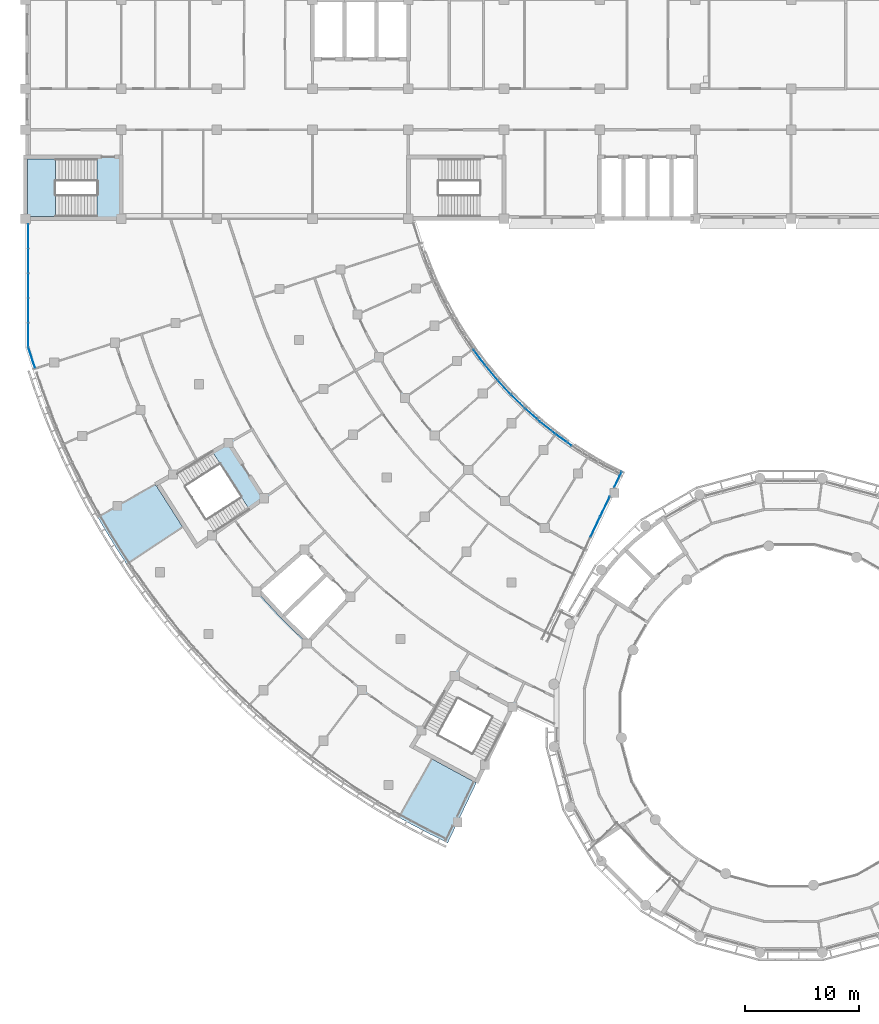
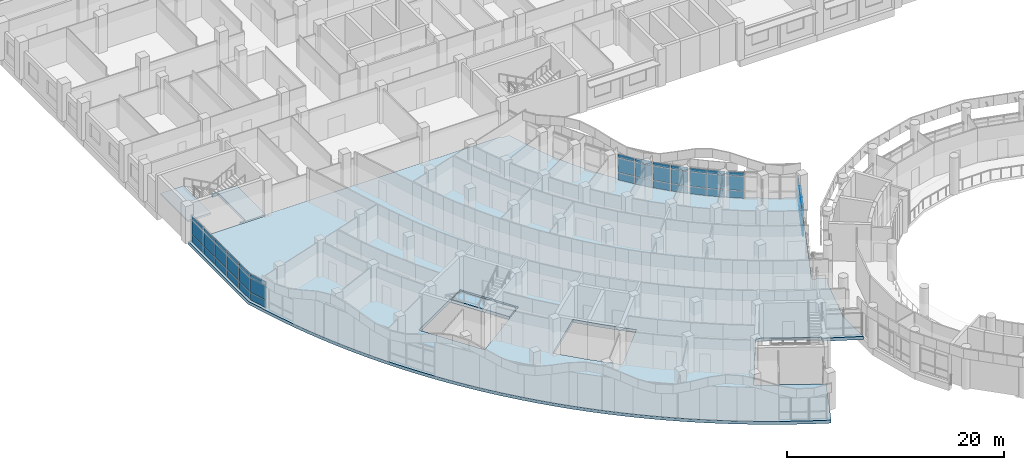
# One storey, part 38 of 109: 47 plates, 4 slabs, 9 elements without a shape of their own.
"""IFC4 building model written with IfcOpenShell, lengths in metres."""

from ifc_helpers import new_model, si_unit, direction, frame, origin, origin_2d, place, context, subcontext, project, spatial, polyline, rectangle, outline, extrude, material, layer, layer_set, type_object, element, aggregate, save


model = new_model("IFC4")

# Units and contexts
model_context = context("Model", 3, precision=1e-05, world=origin(), true_north=direction((0.0, 1.0)))
body_context = subcontext(model_context, "Body", "Model", "MODEL_VIEW")
ifc_project = project(units=[si_unit("LENGTHUNIT", "METRE"), si_unit("AREAUNIT", "SQUARE_METRE"), si_unit("VOLUMEUNIT", "CUBIC_METRE"), si_unit("PLANEANGLEUNIT", "RADIAN"), si_unit("MASSUNIT", "GRAM", prefix="KILO")], contexts=[model_context])

# Site, building, storey
site_placement = place(None, origin())
site = spatial("IfcSite", under=ifc_project, at=site_placement, CompositionType="ELEMENT")
building_placement = place(site_placement, origin())
building = spatial("IfcBuilding", under=site, at=building_placement, Name="Bougainvillea Quay General Hospital", CompositionType="ELEMENT")
storey_placement = place(building_placement, frame((0.0, 0.0, 12.60009765625)))
storey = spatial("IfcBuildingStorey", under=building, at=storey_placement, Name="L02", CompositionType="ELEMENT", Elevation=12.60009765625)

# Curtain wall, plates
ifc_material_1 = material(Name="Aluminium curtain wall system, powder-coated glazed", Category="aluminium")
curtain_wall_type_1 = type_object("IfcCurtainWallType", Name="Unitised curtain wall CW-2172", PredefinedType="NOTDEFINED", material=ifc_material_1)
curtain_wall_1_placement = place(storey_placement, origin())
curtain_wall_1 = element("IfcCurtainWall", 1, at=curtain_wall_1_placement, inside=storey, type_object=curtain_wall_type_1, Name="CW-AE 00", PredefinedType="NOTDEFINED")
ifc_material_2 = material(Name="Insulated aluminium spandrel panel, white", Category="aluminium")
ifc_layer_1 = layer(ifc_material_2, 0.028076171875)
ifc_layer_set_1 = layer_set([ifc_layer_1], Name="Insulated aluminium spandrel panel, white")
plate_type_1 = type_object("IfcPlateType", Name="Insulated spandrel panel white 28", PredefinedType="CURTAIN_PANEL", material=ifc_layer_set_1)
plate_1_placement = place(storey_placement, frame((42.25, 116.05419921875, 0.059814453125), z_axis=(0.0, 0.0, 1.0), x_axis=(0.0, -1.0, 0.0)))
plate_1 = element("IfcPlate", 2, at=plate_1_placement, type_object=plate_type_1, Name="CW-AE spandrel panel 1.1", PredefinedType="CURTAIN_PANEL", context=body_context, shape_type="SweptSolid", body=[
    extrude(rectangle(XDim=2.081787109375, YDim=0.028076171875, at=origin_2d()), origin(), (0.0, 0.0, 1.0), 0.81005859375),
])
plate_2_placement = place(storey_placement, frame((42.25, 116.05419921875, 2.580078125), z_axis=(0.0, 0.0, 1.0), x_axis=(0.0, -1.0, 0.0)))
plate_2 = element("IfcPlate", 3, at=plate_2_placement, type_object=plate_type_1, Name="CW-AE spandrel panel 1.3", PredefinedType="CURTAIN_PANEL", context=body_context, shape_type="SweptSolid", body=[
    extrude(rectangle(XDim=2.081787109375, YDim=0.028076171875, at=origin_2d()), origin(), (0.0, 0.0, 1.0), 0.409912109375),
])
plate_3_placement = place(storey_placement, frame((42.25, 113.897216796875, 0.059814453125), z_axis=(0.0, 0.0, 1.0), x_axis=(0.0, -1.0, 0.0)))
plate_3 = element("IfcPlate", 4, at=plate_3_placement, type_object=plate_type_1, Name="CW-AE spandrel panel 2.1", PredefinedType="CURTAIN_PANEL", context=body_context, shape_type="SweptSolid", body=[
    extrude(rectangle(XDim=2.11181640625, YDim=0.028076171875, at=origin_2d()), origin(), (0.0, 0.0, 1.0), 0.81005859375),
])
plate_4_placement = place(storey_placement, frame((42.25, 113.897216796875, 2.580078125), z_axis=(0.0, 0.0, 1.0), x_axis=(0.0, -1.0, 0.0)))
plate_4 = element("IfcPlate", 5, at=plate_4_placement, type_object=plate_type_1, Name="CW-AE spandrel panel 2.3", PredefinedType="CURTAIN_PANEL", context=body_context, shape_type="SweptSolid", body=[
    extrude(rectangle(XDim=2.11181640625, YDim=0.028076171875, at=origin_2d()), origin(), (0.0, 0.0, 1.0), 0.409912109375),
])
plate_5_placement = place(storey_placement, frame((42.25, 111.7255859375, 0.059814453125), z_axis=(0.0, 0.0, 1.0), x_axis=(0.0, -1.0, 0.0)))
plate_5 = element("IfcPlate", 6, at=plate_5_placement, type_object=plate_type_1, Name="CW-AE spandrel panel 3.1", PredefinedType="CURTAIN_PANEL", context=body_context, shape_type="SweptSolid", body=[
    extrude(rectangle(XDim=2.11181640625, YDim=0.028076171875, at=origin_2d()), origin(), (0.0, 0.0, 1.0), 0.81005859375),
])
plate_6_placement = place(storey_placement, frame((42.25, 111.7255859375, 2.580078125), z_axis=(0.0, 0.0, 1.0), x_axis=(0.0, -1.0, 0.0)))
plate_6 = element("IfcPlate", 7, at=plate_6_placement, type_object=plate_type_1, Name="CW-AE spandrel panel 3.3", PredefinedType="CURTAIN_PANEL", context=body_context, shape_type="SweptSolid", body=[
    extrude(rectangle(XDim=2.11181640625, YDim=0.028076171875, at=origin_2d()), origin(), (0.0, 0.0, 1.0), 0.409912109375),
])
plate_7_placement = place(storey_placement, frame((42.25, 109.5537109375, 0.059814453125), z_axis=(0.0, 0.0, 1.0), x_axis=(0.0, -1.0, 0.0)))
plate_7 = element("IfcPlate", 8, at=plate_7_placement, type_object=plate_type_1, Name="CW-AE spandrel panel 4.1", PredefinedType="CURTAIN_PANEL", context=body_context, shape_type="SweptSolid", body=[
    extrude(rectangle(XDim=2.11181640625, YDim=0.028076171875, at=origin_2d()), origin(), (0.0, 0.0, 1.0), 0.81005859375),
])
plate_8_placement = place(storey_placement, frame((42.25, 109.5537109375, 2.580078125), z_axis=(0.0, 0.0, 1.0), x_axis=(0.0, -1.0, 0.0)))
plate_8 = element("IfcPlate", 9, at=plate_8_placement, type_object=plate_type_1, Name="CW-AE spandrel panel 4.3", PredefinedType="CURTAIN_PANEL", context=body_context, shape_type="SweptSolid", body=[
    extrude(rectangle(XDim=2.11181640625, YDim=0.028076171875, at=origin_2d()), origin(), (0.0, 0.0, 1.0), 0.409912109375),
])
plate_9_placement = place(storey_placement, frame((42.25, 107.39697265625, 0.059814453125), z_axis=(0.0, 0.0, 1.0), x_axis=(0.0, -1.0, 0.0)))
plate_9 = element("IfcPlate", 10, at=plate_9_placement, type_object=plate_type_1, Name="CW-AE spandrel panel 5.1", PredefinedType="CURTAIN_PANEL", context=body_context, shape_type="SweptSolid", body=[
    extrude(rectangle(XDim=2.081787109375, YDim=0.028076171875, at=origin_2d()), origin(), (0.0, 0.0, 1.0), 0.81005859375),
])
plate_10_placement = place(storey_placement, frame((42.25, 107.39697265625, 2.580078125), z_axis=(0.0, 0.0, 1.0), x_axis=(0.0, -1.0, 0.0)))
plate_10 = element("IfcPlate", 11, at=plate_10_placement, type_object=plate_type_1, Name="CW-AE spandrel panel 5.3", PredefinedType="CURTAIN_PANEL", context=body_context, shape_type="SweptSolid", body=[
    extrude(rectangle(XDim=2.081787109375, YDim=0.028076171875, at=origin_2d()), origin(), (0.0, 0.0, 1.0), 0.409912109375),
])

curtain_wall_type_2 = type_object("IfcCurtainWallType", Name="Unitised curtain wall CW-2027", PredefinedType="NOTDEFINED", material=ifc_material_1)
curtain_wall_2_placement = place(storey_placement, origin())
curtain_wall_2 = element("IfcCurtainWall", 12, at=curtain_wall_2_placement, inside=storey, type_object=curtain_wall_type_2, Name="CW-AE 00", PredefinedType="NOTDEFINED")
plate_11_placement = place(storey_placement, frame((42.55078125, 105.40966796875, 0.059814453125), z_axis=(0.0, 0.0, 1.0), x_axis=(0.30896330961, -0.951073957858, 0.0)))
plate_11 = element("IfcPlate", 13, at=plate_11_placement, type_object=plate_type_1, Name="CW-AE spandrel panel 1.1", PredefinedType="CURTAIN_PANEL", context=body_context, shape_type="SweptSolid", body=[
    extrude(rectangle(XDim=1.90625, YDim=0.028076171875, at=origin_2d()), origin(), (0.0, 0.0, 1.0), 0.81005859375),
])
plate_12_placement = place(storey_placement, frame((42.55078125, 105.40966796875, 2.580078125), z_axis=(0.0, 0.0, 1.0), x_axis=(0.30896330961, -0.951073957858, 0.0)))
plate_12 = element("IfcPlate", 14, at=plate_12_placement, type_object=plate_type_1, Name="CW-AE spandrel panel 1.3", PredefinedType="CURTAIN_PANEL", context=body_context, shape_type="SweptSolid", body=[
    extrude(rectangle(XDim=1.90625, YDim=0.028076171875, at=origin_2d()), origin(), (0.0, 0.0, 1.0), 0.409912109375),
])

curtain_wall_type_3 = type_object("IfcCurtainWallType", Name="Unitised curtain wall CW-1989", PredefinedType="NOTDEFINED", material=ifc_material_1)
curtain_wall_3_placement = place(storey_placement, origin())
curtain_wall_3 = element("IfcCurtainWall", 15, at=curtain_wall_3_placement, inside=storey, type_object=curtain_wall_type_3, Name="CW-AE 00", PredefinedType="NOTDEFINED")
plate_13_placement = place(storey_placement, frame((92.01123046875, 90.54345703125, 0.059814453125), z_axis=(0.0, 0.0, 1.0), x_axis=(0.430563040838, 0.902560506484, 0.0)))
plate_13 = element("IfcPlate", 16, at=plate_13_placement, type_object=plate_type_1, Name="CW-AE spandrel panel 6.1", PredefinedType="CURTAIN_PANEL", context=body_context, shape_type="SweptSolid", body=[
    extrude(rectangle(XDim=1.928466796875, YDim=0.028076171875, at=origin_2d()), origin(), (0.0, 0.0, 1.0), 0.81005859375),
])
plate_14_placement = place(storey_placement, frame((92.01123046875, 90.54345703125, 2.580078125), z_axis=(0.0, 0.0, 1.0), x_axis=(0.430563040838, 0.902560506484, 0.0)))
plate_14 = element("IfcPlate", 17, at=plate_14_placement, type_object=plate_type_1, Name="CW-AE spandrel panel 6.3", PredefinedType="CURTAIN_PANEL", context=body_context, shape_type="SweptSolid", body=[
    extrude(rectangle(XDim=1.928466796875, YDim=0.028076171875, at=origin_2d()), origin(), (0.0, 0.0, 1.0), 0.409912109375),
])
plate_15_placement = place(storey_placement, frame((92.86083984375, 92.32470703125, 0.059814453125), z_axis=(0.0, 0.0, 1.0), x_axis=(0.430563040838, 0.902560506484, 0.0)))
plate_15 = element("IfcPlate", 18, at=plate_15_placement, type_object=plate_type_1, Name="CW-AE spandrel panel 7.1", PredefinedType="CURTAIN_PANEL", context=body_context, shape_type="SweptSolid", body=[
    extrude(rectangle(XDim=1.8984375, YDim=0.028076171875, at=origin_2d()), origin(), (0.0, 0.0, 1.0), 0.81005859375),
])
plate_16_placement = place(storey_placement, frame((92.86083984375, 92.32470703125, 2.580078125), z_axis=(0.0, 0.0, 1.0), x_axis=(0.430563040838, 0.902560506484, 0.0)))
plate_16 = element("IfcPlate", 19, at=plate_16_placement, type_object=plate_type_1, Name="CW-AE spandrel panel 7.3", PredefinedType="CURTAIN_PANEL", context=body_context, shape_type="SweptSolid", body=[
    extrude(rectangle(XDim=1.8984375, YDim=0.028076171875, at=origin_2d()), origin(), (0.0, 0.0, 1.0), 0.409912109375),
])

# Curtain wall, plate
curtain_wall_type_4 = type_object("IfcCurtainWallType", Name="Unitised curtain wall CW-1580", PredefinedType="NOTDEFINED", material=ifc_material_1)
curtain_wall_4_placement = place(storey_placement, origin())
curtain_wall_4 = element("IfcCurtainWall", 20, at=curtain_wall_4_placement, inside=storey, type_object=curtain_wall_type_4, Name="CW-AE 01", PredefinedType="NOTDEFINED")
plate_17_placement = place(storey_placement, frame((93.997314453125, 94.706787109375, 0.059814453125), z_axis=(0.0, 0.0, 1.0), x_axis=(0.430563040838, 0.902560506484, 0.0)))
plate_17 = element("IfcPlate", 21, at=plate_17_placement, type_object=plate_type_1, Name="CW-AE spandrel panel 1.1", PredefinedType="CURTAIN_PANEL", context=body_context, shape_type="SweptSolid", body=[
    extrude(rectangle(XDim=1.459716796875, YDim=0.028076171875, at=origin_2d()), origin(), (0.0, 0.0, 1.0), 0.81005859375),
])

# Curtain wall, plates
curtain_wall_type_5 = type_object("IfcCurtainWallType", Name="Unitised curtain wall CW-2100", PredefinedType="NOTDEFINED", material=ifc_material_1)
curtain_wall_5_placement = place(storey_placement, origin())
curtain_wall_5 = element("IfcCurtainWall", 22, at=curtain_wall_5_placement, inside=storey, type_object=curtain_wall_type_5, Name="CW-W02 a11b1", PredefinedType="NOTDEFINED")
plate_18_placement = place(storey_placement, frame((89.246337890625, 98.17626953125, 0.059814453125), z_axis=(0.0, 0.0, 1.0), x_axis=(-0.812378779606, 0.583130104218, 0.0)))
plate_18 = element("IfcPlate", 23, at=plate_18_placement, type_object=plate_type_1, Name="CW-W02 spandrel panel 2.1", PredefinedType="CURTAIN_PANEL", context=body_context, shape_type="SweptSolid", body=[
    extrude(rectangle(XDim=1.64697265625, YDim=0.028076171875, at=origin_2d()), origin(), (0.0, 0.0, 1.0), 0.81005859375),
])
plate_19_placement = place(storey_placement, frame((89.246337890625, 98.17626953125, 2.580078125), z_axis=(0.0, 0.0, 1.0), x_axis=(-0.812378779606, 0.583130104218, 0.0)))
plate_19 = element("IfcPlate", 24, at=plate_19_placement, type_object=plate_type_1, Name="CW-W02 spandrel panel 2.3", PredefinedType="CURTAIN_PANEL", context=body_context, shape_type="SweptSolid", body=[
    extrude(rectangle(XDim=1.64697265625, YDim=0.028076171875, at=origin_2d()), origin(), (0.0, 0.0, 1.0), 0.409912109375),
])

curtain_wall_6_placement = place(storey_placement, origin())
curtain_wall_6 = element("IfcCurtainWall", 25, at=curtain_wall_6_placement, inside=storey, type_object=curtain_wall_type_5, Name="CW-W03 a11b2", PredefinedType="NOTDEFINED")
plate_20_placement = place(storey_placement, frame((87.838134765625, 99.242431640625, 0.059814453125), z_axis=(0.0, 0.0, 1.0), x_axis=(-0.781770850765, 0.623565824026, 0.0)))
plate_20 = element("IfcPlate", 26, at=plate_20_placement, type_object=plate_type_1, Name="CW-W03 spandrel panel 1.1", PredefinedType="CURTAIN_PANEL", context=body_context, shape_type="SweptSolid", body=[
    extrude(rectangle(XDim=1.64697265625, YDim=0.028076171875, at=origin_2d()), origin(), (0.0, 0.0, 1.0), 0.81005859375),
])
plate_21_placement = place(storey_placement, frame((87.838134765625, 99.242431640625, 2.580078125), z_axis=(0.0, 0.0, 1.0), x_axis=(-0.781770850765, 0.623565824026, 0.0)))
plate_21 = element("IfcPlate", 27, at=plate_21_placement, type_object=plate_type_1, Name="CW-W03 spandrel panel 1.3", PredefinedType="CURTAIN_PANEL", context=body_context, shape_type="SweptSolid", body=[
    extrude(rectangle(XDim=1.64697265625, YDim=0.028076171875, at=origin_2d()), origin(), (0.0, 0.0, 1.0), 0.409912109375),
])
plate_22_placement = place(storey_placement, frame((86.531494140625, 100.33984375, 0.059814453125), z_axis=(0.0, 0.0, 1.0), x_axis=(-0.749152291145, 0.662397799417, 0.0)))
plate_22 = element("IfcPlate", 28, at=plate_22_placement, type_object=plate_type_1, Name="CW-W03 spandrel panel 2.1", PredefinedType="CURTAIN_PANEL", context=body_context, shape_type="SweptSolid", body=[
    extrude(rectangle(XDim=1.64697265625, YDim=0.028076171875, at=origin_2d()), origin(), (0.0, 0.0, 1.0), 0.81005859375),
])
plate_23_placement = place(storey_placement, frame((86.531494140625, 100.33984375, 2.580078125), z_axis=(0.0, 0.0, 1.0), x_axis=(-0.749152291145, 0.662397799417, 0.0)))
plate_23 = element("IfcPlate", 29, at=plate_23_placement, type_object=plate_type_1, Name="CW-W03 spandrel panel 2.3", PredefinedType="CURTAIN_PANEL", context=body_context, shape_type="SweptSolid", body=[
    extrude(rectangle(XDim=1.64697265625, YDim=0.028076171875, at=origin_2d()), origin(), (0.0, 0.0, 1.0), 0.409912109375),
])

curtain_wall_7_placement = place(storey_placement, origin())
curtain_wall_7 = element("IfcCurtainWall", 30, at=curtain_wall_7_placement, inside=storey, type_object=curtain_wall_type_5, Name="CW-W04 a11b3", PredefinedType="NOTDEFINED")
plate_24_placement = place(storey_placement, frame((85.23828125, 101.543212890625, 0.059814453125), z_axis=(0.0, 0.0, 1.0), x_axis=(-0.714606992183, 0.699526158712, 0.0)))
plate_24 = element("IfcPlate", 31, at=plate_24_placement, type_object=plate_type_1, Name="CW-W04 spandrel panel 1.1", PredefinedType="CURTAIN_PANEL", context=body_context, shape_type="SweptSolid", body=[
    extrude(rectangle(XDim=1.64697265625, YDim=0.028076171875, at=origin_2d()), origin(), (0.0, 0.0, 1.0), 0.81005859375),
])
plate_25_placement = place(storey_placement, frame((85.23828125, 101.543212890625, 2.580078125), z_axis=(0.0, 0.0, 1.0), x_axis=(-0.714606992183, 0.699526158712, 0.0)))
plate_25 = element("IfcPlate", 32, at=plate_25_placement, type_object=plate_type_1, Name="CW-W04 spandrel panel 1.3", PredefinedType="CURTAIN_PANEL", context=body_context, shape_type="SweptSolid", body=[
    extrude(rectangle(XDim=1.64697265625, YDim=0.028076171875, at=origin_2d()), origin(), (0.0, 0.0, 1.0), 0.409912109375),
])
plate_26_placement = place(storey_placement, frame((84.049560546875, 102.767333984375, 0.059814453125), z_axis=(0.0, 0.0, 1.0), x_axis=(-0.678223800683, 0.734855411756, 0.0)))
plate_26 = element("IfcPlate", 33, at=plate_26_placement, type_object=plate_type_1, Name="CW-W04 spandrel panel 2.1", PredefinedType="CURTAIN_PANEL", context=body_context, shape_type="SweptSolid", body=[
    extrude(rectangle(XDim=1.64697265625, YDim=0.028076171875, at=origin_2d()), origin(), (0.0, 0.0, 1.0), 0.81005859375),
])
plate_27_placement = place(storey_placement, frame((84.049560546875, 102.767333984375, 2.580078125), z_axis=(0.0, 0.0, 1.0), x_axis=(-0.678223800683, 0.734855411756, 0.0)))
plate_27 = element("IfcPlate", 34, at=plate_27_placement, type_object=plate_type_1, Name="CW-W04 spandrel panel 2.3", PredefinedType="CURTAIN_PANEL", context=body_context, shape_type="SweptSolid", body=[
    extrude(rectangle(XDim=1.64697265625, YDim=0.028076171875, at=origin_2d()), origin(), (0.0, 0.0, 1.0), 0.409912109375),
])

curtain_wall_8_placement = place(storey_placement, origin())
curtain_wall_8 = element("IfcCurtainWall", 35, at=curtain_wall_8_placement, inside=storey, type_object=curtain_wall_type_5, Name="CW-W05 a11b4", PredefinedType="NOTDEFINED")
plate_28_placement = place(storey_placement, frame((82.884765625, 104.09521484375, 0.059814453125), z_axis=(0.0, 0.0, 1.0), x_axis=(-0.64009629031, 0.768294695498, 0.0)))
plate_28 = element("IfcPlate", 36, at=plate_28_placement, type_object=plate_type_1, Name="CW-W05 spandrel panel 1.1", PredefinedType="CURTAIN_PANEL", context=body_context, shape_type="SweptSolid", body=[
    extrude(rectangle(XDim=1.64697265625, YDim=0.028076171875, at=origin_2d()), origin(), (0.0, 0.0, 1.0), 0.81005859375),
])
plate_29_placement = place(storey_placement, frame((82.884765625, 104.09521484375, 2.580078125), z_axis=(0.0, 0.0, 1.0), x_axis=(-0.64009629031, 0.768294695498, 0.0)))
plate_29 = element("IfcPlate", 37, at=plate_29_placement, type_object=plate_type_1, Name="CW-W05 spandrel panel 1.3", PredefinedType="CURTAIN_PANEL", context=body_context, shape_type="SweptSolid", body=[
    extrude(rectangle(XDim=1.64697265625, YDim=0.028076171875, at=origin_2d()), origin(), (0.0, 0.0, 1.0), 0.409912109375),
])
plate_30_placement = place(storey_placement, frame((81.826171875, 105.43359375, 0.059814453125), z_axis=(0.0, 0.0, 1.0), x_axis=(-0.600322520933, 0.799758007688, 0.0)))
plate_30 = element("IfcPlate", 38, at=plate_30_placement, type_object=plate_type_1, Name="CW-W05 spandrel panel 2.1", PredefinedType="CURTAIN_PANEL", context=body_context, shape_type="SweptSolid", body=[
    extrude(rectangle(XDim=1.64697265625, YDim=0.028076171875, at=origin_2d()), origin(), (0.0, 0.0, 1.0), 0.81005859375),
])
plate_31_placement = place(storey_placement, frame((81.826171875, 105.43359375, 2.580078125), z_axis=(0.0, 0.0, 1.0), x_axis=(-0.600322520933, 0.799758007688, 0.0)))
plate_31 = element("IfcPlate", 39, at=plate_31_placement, type_object=plate_type_1, Name="CW-W05 spandrel panel 2.3", PredefinedType="CURTAIN_PANEL", context=body_context, shape_type="SweptSolid", body=[
    extrude(rectangle(XDim=1.64697265625, YDim=0.028076171875, at=origin_2d()), origin(), (0.0, 0.0, 1.0), 0.409912109375),
])

# Plate
ifc_material_3 = material(Name="Low-e laminated glass, solar control", Category="glass")
ifc_layer_2 = layer(ifc_material_3, 0.028076171875)
ifc_layer_set_2 = layer_set([ifc_layer_2], Name="Low-e laminated glass, solar control")
plate_type_2 = type_object("IfcPlateType", Name="Low-e laminated vision glass 28", PredefinedType="CURTAIN_PANEL", material=ifc_layer_set_2)
plate_32_placement = place(storey_placement, frame((42.25, 116.05419921875, 0.9296875), z_axis=(0.0, 0.0, 1.0), x_axis=(0.0, -1.0, 0.0)))
plate_32 = element("IfcPlate", 40, at=plate_32_placement, type_object=plate_type_2, Name="CW-AE vision glass panel 1.2", PredefinedType="CURTAIN_PANEL", context=body_context, shape_type="SweptSolid", body=[
    extrude(rectangle(XDim=2.081787109375, YDim=0.028076171875, at=origin_2d()), origin(), (0.0, 0.0, 1.0), 1.590087890625),
])

plate_33_placement = place(storey_placement, frame((42.25, 113.897216796875, 0.9296875), z_axis=(0.0, 0.0, 1.0), x_axis=(0.0, -1.0, 0.0)))
plate_33 = element("IfcPlate", 41, at=plate_33_placement, type_object=plate_type_2, Name="CW-AE vision glass panel 2.2", PredefinedType="CURTAIN_PANEL", context=body_context, shape_type="SweptSolid", body=[
    extrude(rectangle(XDim=2.11181640625, YDim=0.028076171875, at=origin_2d()), origin(), (0.0, 0.0, 1.0), 1.590087890625),
])

plate_34_placement = place(storey_placement, frame((42.25, 111.7255859375, 0.9296875), z_axis=(0.0, 0.0, 1.0), x_axis=(0.0, -1.0, 0.0)))
plate_34 = element("IfcPlate", 42, at=plate_34_placement, type_object=plate_type_2, Name="CW-AE vision glass panel 3.2", PredefinedType="CURTAIN_PANEL", context=body_context, shape_type="SweptSolid", body=[
    extrude(rectangle(XDim=2.11181640625, YDim=0.028076171875, at=origin_2d()), origin(), (0.0, 0.0, 1.0), 1.590087890625),
])

plate_35_placement = place(storey_placement, frame((42.25, 109.5537109375, 0.9296875), z_axis=(0.0, 0.0, 1.0), x_axis=(0.0, -1.0, 0.0)))
plate_35 = element("IfcPlate", 43, at=plate_35_placement, type_object=plate_type_2, Name="CW-AE vision glass panel 4.2", PredefinedType="CURTAIN_PANEL", context=body_context, shape_type="SweptSolid", body=[
    extrude(rectangle(XDim=2.11181640625, YDim=0.028076171875, at=origin_2d()), origin(), (0.0, 0.0, 1.0), 1.590087890625),
])

plate_36_placement = place(storey_placement, frame((42.25, 107.39697265625, 0.9296875), z_axis=(0.0, 0.0, 1.0), x_axis=(0.0, -1.0, 0.0)))
plate_36 = element("IfcPlate", 44, at=plate_36_placement, type_object=plate_type_2, Name="CW-AE vision glass panel 5.2", PredefinedType="CURTAIN_PANEL", context=body_context, shape_type="SweptSolid", body=[
    extrude(rectangle(XDim=2.081787109375, YDim=0.028076171875, at=origin_2d()), origin(), (0.0, 0.0, 1.0), 1.590087890625),
])

aggregate(curtain_wall_1, [plate_1, plate_32, plate_2, plate_3, plate_33, plate_4, plate_5, plate_34, plate_6, plate_7, plate_35, plate_8, plate_9, plate_36, plate_10])

plate_37_placement = place(storey_placement, frame((42.55078125, 105.40966796875, 0.9296875), z_axis=(0.0, 0.0, 1.0), x_axis=(0.30896330961, -0.951073957858, 0.0)))
plate_37 = element("IfcPlate", 45, at=plate_37_placement, type_object=plate_type_2, Name="CW-AE vision glass panel 1.2", PredefinedType="CURTAIN_PANEL", context=body_context, shape_type="SweptSolid", body=[
    extrude(rectangle(XDim=1.90625, YDim=0.028076171875, at=origin_2d()), origin(), (0.0, 0.0, 1.0), 1.590087890625),
])

aggregate(curtain_wall_2, [plate_11, plate_37, plate_12])

plate_38_placement = place(storey_placement, frame((92.01123046875, 90.54345703125, 0.9296875), z_axis=(0.0, 0.0, 1.0), x_axis=(0.430563040838, 0.902560506484, 0.0)))
plate_38 = element("IfcPlate", 46, at=plate_38_placement, type_object=plate_type_2, Name="CW-AE vision glass panel 6.2", PredefinedType="CURTAIN_PANEL", context=body_context, shape_type="SweptSolid", body=[
    extrude(rectangle(XDim=1.928466796875, YDim=0.028076171875, at=origin_2d()), origin(), (0.0, 0.0, 1.0), 1.590087890625),
])

plate_39_placement = place(storey_placement, frame((92.86083984375, 92.32470703125, 0.9296875), z_axis=(0.0, 0.0, 1.0), x_axis=(0.430563040838, 0.902560506484, 0.0)))
plate_39 = element("IfcPlate", 47, at=plate_39_placement, type_object=plate_type_2, Name="CW-AE vision glass panel 7.2", PredefinedType="CURTAIN_PANEL", context=body_context, shape_type="SweptSolid", body=[
    extrude(rectangle(XDim=1.8984375, YDim=0.028076171875, at=origin_2d()), origin(), (0.0, 0.0, 1.0), 1.590087890625),
])

aggregate(curtain_wall_3, [plate_13, plate_38, plate_14, plate_15, plate_39, plate_16])

plate_40_placement = place(storey_placement, frame((93.997314453125, 94.706787109375, 0.9296875), z_axis=(0.0, 0.0, 1.0), x_axis=(0.430563040838, 0.902560506484, 0.0)))
plate_40 = element("IfcPlate", 48, at=plate_40_placement, type_object=plate_type_2, Name="CW-AE vision glass panel 1.2", PredefinedType="CURTAIN_PANEL", context=body_context, shape_type="SweptSolid", body=[
    extrude(rectangle(XDim=1.459716796875, YDim=0.028076171875, at=origin_2d()), origin(), (0.0, 0.0, 1.0), 1.590087890625),
])

aggregate(curtain_wall_4, [plate_17, plate_40])

plate_41_placement = place(storey_placement, frame((89.246337890625, 98.17626953125, 0.9296875), z_axis=(0.0, 0.0, 1.0), x_axis=(-0.812378779606, 0.583130104218, 0.0)))
plate_41 = element("IfcPlate", 49, at=plate_41_placement, type_object=plate_type_2, Name="CW-W02 vision glass panel 2.2", PredefinedType="CURTAIN_PANEL", context=body_context, shape_type="SweptSolid", body=[
    extrude(rectangle(XDim=1.64697265625, YDim=0.028076171875, at=origin_2d()), origin(), (0.0, 0.0, 1.0), 1.590087890625),
])

aggregate(curtain_wall_5, [plate_18, plate_41, plate_19])

plate_42_placement = place(storey_placement, frame((87.838134765625, 99.242431640625, 0.9296875), z_axis=(0.0, 0.0, 1.0), x_axis=(-0.781770850765, 0.623565824026, 0.0)))
plate_42 = element("IfcPlate", 50, at=plate_42_placement, type_object=plate_type_2, Name="CW-W03 vision glass panel 1.2", PredefinedType="CURTAIN_PANEL", context=body_context, shape_type="SweptSolid", body=[
    extrude(rectangle(XDim=1.64697265625, YDim=0.028076171875, at=origin_2d()), origin(), (0.0, 0.0, 1.0), 1.590087890625),
])

plate_43_placement = place(storey_placement, frame((86.531494140625, 100.33984375, 0.9296875), z_axis=(0.0, 0.0, 1.0), x_axis=(-0.749152291145, 0.662397799417, 0.0)))
plate_43 = element("IfcPlate", 51, at=plate_43_placement, type_object=plate_type_2, Name="CW-W03 vision glass panel 2.2", PredefinedType="CURTAIN_PANEL", context=body_context, shape_type="SweptSolid", body=[
    extrude(rectangle(XDim=1.64697265625, YDim=0.028076171875, at=origin_2d()), origin(), (0.0, 0.0, 1.0), 1.590087890625),
])

aggregate(curtain_wall_6, [plate_20, plate_42, plate_21, plate_22, plate_43, plate_23])

plate_44_placement = place(storey_placement, frame((85.23828125, 101.543212890625, 0.9296875), z_axis=(0.0, 0.0, 1.0), x_axis=(-0.714606992183, 0.699526158712, 0.0)))
plate_44 = element("IfcPlate", 52, at=plate_44_placement, type_object=plate_type_2, Name="CW-W04 vision glass panel 1.2", PredefinedType="CURTAIN_PANEL", context=body_context, shape_type="SweptSolid", body=[
    extrude(rectangle(XDim=1.64697265625, YDim=0.028076171875, at=origin_2d()), origin(), (0.0, 0.0, 1.0), 1.590087890625),
])

plate_45_placement = place(storey_placement, frame((84.049560546875, 102.767333984375, 0.9296875), z_axis=(0.0, 0.0, 1.0), x_axis=(-0.678223800683, 0.734855411756, 0.0)))
plate_45 = element("IfcPlate", 53, at=plate_45_placement, type_object=plate_type_2, Name="CW-W04 vision glass panel 2.2", PredefinedType="CURTAIN_PANEL", context=body_context, shape_type="SweptSolid", body=[
    extrude(rectangle(XDim=1.64697265625, YDim=0.028076171875, at=origin_2d()), origin(), (0.0, 0.0, 1.0), 1.590087890625),
])

aggregate(curtain_wall_7, [plate_24, plate_44, plate_25, plate_26, plate_45, plate_27])

plate_46_placement = place(storey_placement, frame((82.884765625, 104.09521484375, 0.9296875), z_axis=(0.0, 0.0, 1.0), x_axis=(-0.64009629031, 0.768294695498, 0.0)))
plate_46 = element("IfcPlate", 54, at=plate_46_placement, type_object=plate_type_2, Name="CW-W05 vision glass panel 1.2", PredefinedType="CURTAIN_PANEL", context=body_context, shape_type="SweptSolid", body=[
    extrude(rectangle(XDim=1.64697265625, YDim=0.028076171875, at=origin_2d()), origin(), (0.0, 0.0, 1.0), 1.590087890625),
])

plate_47_placement = place(storey_placement, frame((81.826171875, 105.43359375, 0.9296875), z_axis=(0.0, 0.0, 1.0), x_axis=(-0.600322520933, 0.799758007688, 0.0)))
plate_47 = element("IfcPlate", 55, at=plate_47_placement, type_object=plate_type_2, Name="CW-W05 vision glass panel 2.2", PredefinedType="CURTAIN_PANEL", context=body_context, shape_type="SweptSolid", body=[
    extrude(rectangle(XDim=1.64697265625, YDim=0.028076171875, at=origin_2d()), origin(), (0.0, 0.0, 1.0), 1.590087890625),
])

aggregate(curtain_wall_8, [plate_28, plate_46, plate_29, plate_30, plate_47, plate_31])

# Slabs
ifc_material_4 = material(Name="Concrete C35", Category="concrete")
ifc_layer_3 = layer(ifc_material_4, 0.300048828125)
ifc_layer_set_3 = layer_set([ifc_layer_3], Name="Concrete C35")
slab_type_1 = type_object("IfcSlabType", Name="RC FLAT SLAB 300 C35", PredefinedType="FLOOR", material=ifc_layer_set_3)
slab_1_placement = place(storey_placement, frame((0.0, 0.0, -0.300048828125)))
element("IfcSlab", 56, at=slab_1_placement, inside=storey, type_object=slab_type_1, Name="Stair landing floor ST-B1 L02", PredefinedType="FLOOR", context=body_context, shape_type="SweptSolid", body=[
    extrude(outline(polyline([(47.702880859375, 122.8837890625), (47.71142578125, 122.942138671875), (47.725830078125, 122.99951171875), (50.39990234375, 123.0), (50.39990234375, 117.60009765625), (47.725830078125, 117.600341796875), (47.71142578125, 117.657958984375), (47.702880859375, 117.71630859375), (47.699951171875, 117.77392578125), (48.300537109375, 117.7744140625), (48.300537109375, 122.82568359375), (47.699951171875, 122.825927734375), (47.702880859375, 122.8837890625)])), origin(), (0.0, 0.0, 1.0), 0.300048828125),
])
ifc_layer_4 = layer(ifc_material_4, 0.35009765625)
ifc_layer_set_4 = layer_set([ifc_layer_4], Name="Concrete C35")
slab_type_2 = type_object("IfcSlabType", Name="RC FLAT SLAB 350 C35", PredefinedType="FLOOR", material=ifc_layer_set_4)
slab_2_placement = place(storey_placement, frame((0.0, 0.0, -0.35009765625)))
element("IfcSlab", 57, at=slab_2_placement, inside=storey, type_object=slab_type_2, Name="Slab S4 L02", PredefinedType="FLOOR", context=body_context, shape_type="SweptSolid", body=[
    extrude(outline(polyline([(68.68701171875, 68.9150390625), (70.10302734375, 67.93603515625), (71.5419921875, 66.991943359375), (73.0048828125, 66.083984375), (74.489013671875, 65.2119140625), (75.993896484375, 64.376953125), (77.52001953125, 63.5791015625), (79.06396484375, 62.819091796875), (81.572021484375, 68.076904296875), (81.413818359375, 68.15234375), (81.489990234375, 68.312255859375), (81.409912109375, 68.164306640625), (76.009765625, 71.084716796875), (76.089599609375, 71.23291015625), (75.99755859375, 71.08154296875), (75.698486328125, 71.263427734375), (79.62255859375, 77.71337890625), (79.916015625, 77.539794921875), (84.67431640625, 74.96630859375), (84.980224609375, 74.815673828125), (84.905029296875, 74.65771484375), (88.3798828125, 73.0), (88.3798828125, 76.740966796875), (89.799072265625, 82.035888671875), (90.217041015625, 82.760009765625), (88.8798828125, 83.39794921875), (87.528076171875, 80.56494140625), (94.56298828125, 95.31201171875), (93.81201171875, 95.680908203125), (93.072021484375, 96.069091796875), (92.340087890625, 96.47509765625), (91.618896484375, 96.89794921875), (90.908935546875, 97.339111328125), (90.2099609375, 97.798095703125), (89.52197265625, 98.27294921875), (88.845947265625, 98.764892578125), (88.18310546875, 99.27392578125), (87.531982421875, 99.799072265625), (86.89404296875, 100.340087890625), (86.27001953125, 100.89599609375), (85.658935546875, 101.468017578125), (85.06298828125, 102.053955078125), (84.48193359375, 102.655029296875), (83.9150390625, 103.27001953125), (83.364013671875, 103.89794921875), (82.827880859375, 104.5400390625), (82.30810546875, 105.195068359375), (81.804931640625, 105.863037109375), (81.318115234375, 106.54296875), (80.847900390625, 107.23388671875), (80.39501953125, 107.93701171875), (79.9599609375, 108.65087890625), (79.5419921875, 109.375), (79.14208984375, 110.10888671875), (78.760009765625, 110.85302734375), (78.39697265625, 111.60693359375), (78.052001953125, 112.367919921875), (77.72705078125, 113.137939453125), (77.419921875, 113.916015625), (77.132080078125, 114.700927734375), (76.864013671875, 115.492919921875), (76.23681640625, 117.425048828125), (75.77490234375, 117.425048828125), (75.425048828125, 117.425048828125), (75.425048828125, 117.60009765625), (50.574951171875, 117.60009765625), (50.574951171875, 117.425048828125), (50.22509765625, 117.425048828125), (42.175048828125, 117.425048828125), (42.0, 117.425048828125), (42.0, 106.2958984375), (42.6259765625, 104.368896484375), (43.177978515625, 102.738037109375), (43.77001953125, 101.1220703125), (44.402099609375, 99.52001953125), (45.072021484375, 97.93505859375), (45.781982421875, 96.365966796875), (46.530029296875, 94.81591796875), (47.31591796875, 93.283935546875), (48.138916015625, 91.77197265625), (48.9990234375, 90.281005859375), (49.89599609375, 88.81201171875), (50.827880859375, 87.364013671875), (51.7958984375, 85.94091796875), (52.798095703125, 84.541015625), (53.8349609375, 83.1669921875), (54.905029296875, 81.818115234375), (56.008056640625, 80.49609375), (57.14306640625, 79.201904296875), (58.30908203125, 77.93603515625), (59.507080078125, 76.698974609375), (60.73388671875, 75.491943359375), (61.990966796875, 74.31591796875), (63.27587890625, 73.169921875), (64.589111328125, 72.056884765625), (65.928955078125, 70.97607421875), (67.294921875, 69.928955078125), (68.68701171875, 68.9150390625)]), holes=[polyline([(62.553955078125, 84.85693359375), (62.4208984375, 84.739990234375), (62.18994140625, 85.003173828125), (66.51318359375, 88.794921875), (66.74267578125, 88.53662109375), (68.57568359375, 86.552978515625), (70.5048828125, 84.661865234375), (70.75634765625, 84.425048828125), (66.83984375, 80.214599609375), (66.583740234375, 80.453125), (66.704345703125, 80.582763671875), (66.58349609375, 80.459228515625), (64.456787109375, 82.540771484375), (64.575927734375, 82.6689453125), (64.4443359375, 82.5537109375), (62.427001953125, 84.73974609375), (62.553955078125, 84.85693359375)]), polyline([(53.656494140625, 94.2099609375), (53.50244140625, 94.122314453125), (53.329345703125, 94.426513671875), (59.8916015625, 98.15869140625), (60.06396484375, 97.8642578125), (62.9736328125, 93.304443359375), (63.16796875, 93.02392578125), (57.016845703125, 88.64599609375), (56.81396484375, 88.93115234375), (56.958251953125, 89.033935546875), (56.81640625, 88.943359375), (53.5146484375, 94.119384765625), (53.656494140625, 94.2099609375)])]), origin(), (0.0, 0.0, 1.0), 0.35009765625),
])
slab_3_placement = place(storey_placement, frame((0.0, 0.0, -0.35009765625)))
element("IfcSlab", 58, at=slab_3_placement, inside=storey, type_object=slab_type_2, Name="Stair landing floor ST-W2 L02", PredefinedType="FLOOR", context=body_context, shape_type="SweptSolid", body=[
    extrude(outline(polyline([(61.31298828125, 95.452880859375), (62.10302734375, 94.2490234375), (62.924072265625, 93.06494140625), (62.71435546875, 92.915771484375), (62.7412109375, 92.87353515625), (61.640869140625, 92.09033203125), (58.401123046875, 97.167236328125), (59.5751953125, 97.8349609375), (59.602294921875, 97.792724609375), (59.825927734375, 97.919921875), (60.553955078125, 96.677001953125), (61.31298828125, 95.452880859375)])), origin(), (0.0, 0.0, 1.0), 0.35009765625),
])

# Stair, slab
stair_type = type_object("IfcStairType", Name="Stair half-turn 1925 wide", PredefinedType="HALF_TURN_STAIR", material=ifc_material_4)
stair_placement = place(storey_placement, origin())
stair = element("IfcStair", 59, at=stair_placement, inside=storey, type_object=stair_type, Name="L02 stair ST-B1", PredefinedType="HALF_TURN_STAIR")
ifc_layer_5 = layer(ifc_material_4, 0.199951171875)
ifc_layer_set_5 = layer_set([ifc_layer_5], Name="Concrete C35")
slab_type_3 = type_object("IfcSlabType", Name="Stair landing 200", PredefinedType="LANDING", material=ifc_layer_set_5)
slab_4_placement = place(storey_placement, frame((0.0, 0.0, 1.89990234375)))
slab_4 = element("IfcSlab", 60, at=slab_4_placement, type_object=slab_type_3, Name="ST-B1 landing 1", PredefinedType="LANDING", context=body_context, shape_type="SweptSolid", body=[
    extrude(outline(polyline([(44.659912109375, 122.824951171875), (42.175048828125, 122.824951171875), (42.175048828125, 117.77490234375), (44.659912109375, 117.77490234375), (44.659912109375, 122.824951171875)])), origin(), (0.0, 0.0, 1.0), 0.199951171875),
])
aggregate(stair, [slab_4])

save(model, "model.ifc")
